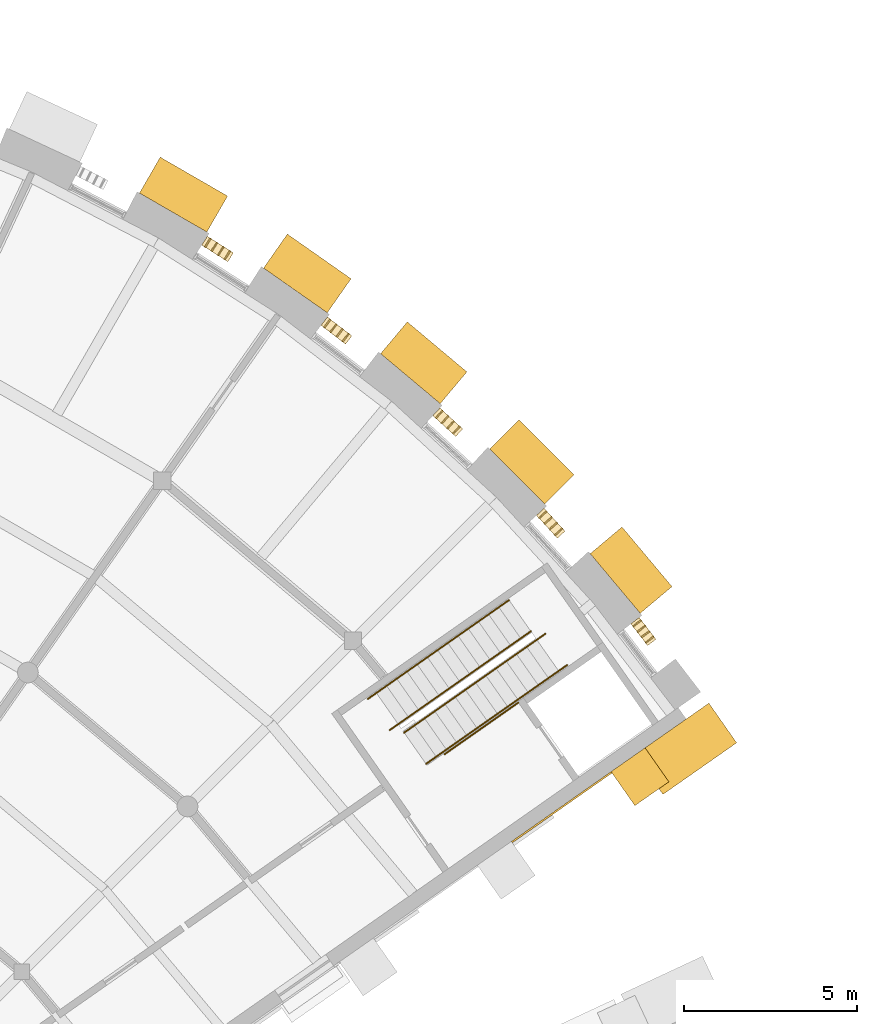
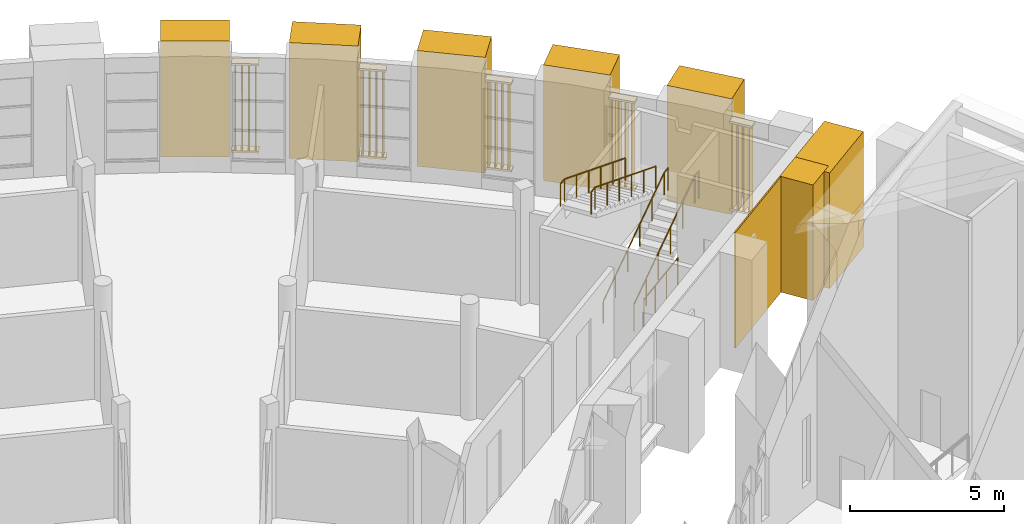
# One storey, part 48 of 50: 38 coverings, 5 railings.
"""IFC4 building model written with IfcOpenShell, lengths in metres."""

from ifc_helpers import new_model, si_unit, direction, frame, origin, origin_2d, place, context, subcontext, project, spatial, polyline, rectangle, circle, outline, extrude, material, layer, layer_set, type_object, element, save


model = new_model("IFC4")

# Units and contexts
model_context = context("Model", 3, precision=1e-05, world=origin(), true_north=direction((0.0, 1.0)))
body_context = subcontext(model_context, "Body", "Model", "MODEL_VIEW")
ifc_project = project(units=[si_unit("LENGTHUNIT", "METRE"), si_unit("AREAUNIT", "SQUARE_METRE"), si_unit("VOLUMEUNIT", "CUBIC_METRE"), si_unit("PLANEANGLEUNIT", "RADIAN"), si_unit("MASSUNIT", "GRAM", prefix="KILO")], contexts=[model_context])

# Site, building, storey
site_placement = place(None, origin())
site = spatial("IfcSite", under=ifc_project, at=site_placement, CompositionType="ELEMENT")
building_placement = place(site_placement, origin())
building = spatial("IfcBuilding", under=site, at=building_placement, Name="Volute Hill Aquarium", CompositionType="ELEMENT")
storey_placement = place(building_placement, frame((0.0, 0.0, 9.199951171875)))
storey = spatial("IfcBuildingStorey", under=building, at=storey_placement, Name="L03", CompositionType="ELEMENT", Elevation=9.199951171875)

# Coverings
ifc_material_1 = material(Name="Precast concrete C40/50", Category="concrete")
covering_type_1 = type_object("IfcCoveringType", Name="End wall precast fin C40/50 1200x1200", PredefinedType="CLADDING", material=ifc_material_1)
covering_1_placement = place(storey_placement, frame((37.484619140625, 25.270263671875, 0.0), z_axis=(0.0, 0.0, 1.0), x_axis=(0.819150254575, 0.573578992319, 0.0)))
element("IfcCovering", 1, at=covering_1_placement, inside=storey, type_object=covering_type_1, Name="End wall fin EWF S5A L03 6", PredefinedType="CLADDING", context=body_context, shape_type="SweptSolid", body=[
    extrude(rectangle(XDim=1.199951171875, YDim=1.199951171875, at=origin_2d()), origin(), (0.0, 0.0, 1.0), 4.60009765625),
])
ifc_material_2 = material(Name="Precast concrete C40/50", Category="concrete")
ifc_layer = layer(ifc_material_2, 0.050048828125)
ifc_layer_set = layer_set([ifc_layer], Name="End wall precast infill panel C40/50 50")
covering_type_2 = type_object("IfcCoveringType", Name="End wall precast infill panel C40/50 50", PredefinedType="CLADDING", material=ifc_layer_set)
covering_2_placement = place(storey_placement, frame((33.797607421875, 23.360107421875, 0.0), z_axis=(0.573560206306, -0.819163408449, 0.0), x_axis=(0.819163408449, 0.573560206306, 0.0)))
element("IfcCovering", 2, at=covering_2_placement, inside=storey, type_object=covering_type_2, Name="End wall panel EWP S5A L03 5", PredefinedType="CLADDING", context=body_context, shape_type="SweptSolid", body=[
    extrude(outline(polyline([(0.0, 0.0), (3.5159370199129762, 0.0), (3.5159370199129762, 4.600097656250001), (0.0, 4.600097656250001), (0.0, 0.0)])), origin(), (0.0, 0.0, -1.0), 0.050048828125),
])

# Railings
ifc_material_3 = material(Name="Stainless steel 1.4301", Category="steel")
railing_type_1 = type_object("IfcRailingType", Name="Guard 1100 stainless", PredefinedType="GUARDRAIL", material=ifc_material_3)
railing_1_placement = place(storey_placement, frame((33.970458984375, 27.412109375, 0.0)))
element("IfcRailing", 3, at=railing_1_placement, inside=storey, type_object=railing_type_1, Name="gd/S5-A/L03/edge", PredefinedType="GUARDRAIL", context=body_context, shape_type="SweptSolid", body=[
    extrude(circle(Radius=0.02392578125, at=origin_2d()), frame((0.0, 0.0, 1.076171875), z_axis=(-0.819148089014, -0.573582085028, 0.0), x_axis=(0.573582085028, -0.819148089014, 0.0)), (0.0, 0.0, 1.0), 2.599853515625),
    extrude(circle(Radius=0.02099609375, at=origin_2d()), origin(), (0.0, 0.0, 1.0), 1.052001953125),
    extrude(circle(Radius=0.02099609375, at=origin_2d()), frame((-0.7099609375, -0.4970703125, 0.0)), (0.0, 0.0, 1.0), 1.052001953125),
    extrude(circle(Radius=0.02099609375, at=origin_2d()), frame((-1.419677734375, -0.994140625, 0.0)), (0.0, 0.0, 1.0), 1.052001953125),
    extrude(circle(Radius=0.02099609375, at=origin_2d()), frame((-2.129638671875, -1.4912109375, 0.0)), (0.0, 0.0, 1.0), 1.052001953125),
])
railing_2_placement = place(storey_placement, frame((31.303466796875, 25.64208984375, 0.164306640625)))
element("IfcRailing", 4, at=railing_2_placement, inside=storey, type_object=railing_type_1, Name="gd/S5-A/L03/1", PredefinedType="GUARDRAIL", context=body_context, shape_type="SweptSolid", body=[
    extrude(circle(Radius=0.02392578125, at=origin_2d()), frame((0.0, 0.0, 1.076171875), z_axis=(0.745190384026, 0.521851577044, 0.415165296106), x_axis=(-0.573623384376, 0.819119168923, 0.0)), (0.0, 0.0, 1.0), 5.144287109375),
    extrude(circle(Radius=0.02392578125, at=origin_2d()), frame((3.83349609375, 2.6845703125, 3.2119140625), z_axis=(0.819575896246, 0.572970636502, 0.0), x_axis=(-0.572970636502, 0.819575896246, 0.0)), (0.0, 0.0, 1.0), 0.300048828125),
    extrude(circle(Radius=0.02099609375, at=origin_2d()), origin(), (0.0, 0.0, 1.0), 1.052001953125),
    extrude(circle(Radius=0.02099609375, at=origin_2d()), frame((0.7666015625, 0.536865234375, 0.42724609375)), (0.0, 0.0, 1.0), 1.052001953125),
    extrude(circle(Radius=0.02099609375, at=origin_2d()), frame((1.533447265625, 1.07373046875, 0.854248046875)), (0.0, 0.0, 1.0), 1.052001953125),
    extrude(circle(Radius=0.02099609375, at=origin_2d()), frame((2.300048828125, 1.61083984375, 1.281494140625)), (0.0, 0.0, 1.0), 1.052001953125),
    extrude(circle(Radius=0.02099609375, at=origin_2d()), frame((3.06689453125, 2.147705078125, 1.70849609375)), (0.0, 0.0, 1.0), 1.052001953125),
    extrude(circle(Radius=0.02099609375, at=origin_2d()), frame((3.83349609375, 2.6845703125, 2.1357421875)), (0.0, 0.0, 1.0), 1.052001953125),
    extrude(circle(Radius=0.02099609375, at=origin_2d()), frame((4.079345703125, 2.8564453125, 2.1357421875)), (0.0, 0.0, 1.0), 1.052001953125),
])
ifc_material_4 = material(Name="Stainless steel 1.4301", Category="steel")
railing_type_2 = type_object("IfcRailingType", Name="Handrail 48 stainless", PredefinedType="HANDRAIL", material=ifc_material_4)
railing_3_placement = place(storey_placement, frame((30.67236328125, 26.543212890625, 0.164306640625)))
element("IfcRailing", 5, at=railing_3_placement, inside=storey, type_object=railing_type_2, Name="hr/S5-A/L03/2", PredefinedType="HANDRAIL", context=body_context, shape_type="SweptSolid", body=[
    extrude(circle(Radius=0.02392578125, at=origin_2d()), frame((0.0, 0.0, 0.8759765625), z_axis=(0.745229941797, 0.521798586898, 0.415160894787), x_axis=(-0.57356387087, 0.81916084259, 0.0)), (0.0, 0.0, 1.0), 5.144287109375),
    extrude(circle(Radius=0.02392578125, at=origin_2d()), frame((3.833740234375, 2.684326171875, 3.01171875), z_axis=(0.818925855405, 0.573899332068, 0.0), x_axis=(-0.573899332068, 0.818925855405, 0.0)), (0.0, 0.0, 1.0), 0.2998046875),
    extrude(circle(Radius=0.02099609375, at=origin_2d()), origin(), (0.0, 0.0, 1.0), 0.851806640625),
    extrude(circle(Radius=0.02099609375, at=origin_2d()), frame((0.766845703125, 0.536865234375, 0.42724609375)), (0.0, 0.0, 1.0), 0.851806640625),
    extrude(circle(Radius=0.02099609375, at=origin_2d()), frame((1.533447265625, 1.07373046875, 0.854248046875)), (0.0, 0.0, 1.0), 0.851806640625),
    extrude(circle(Radius=0.02099609375, at=origin_2d()), frame((2.30029296875, 1.610595703125, 1.281494140625)), (0.0, 0.0, 1.0), 0.851806640625),
    extrude(circle(Radius=0.02099609375, at=origin_2d()), frame((3.06689453125, 2.1474609375, 1.70849609375)), (0.0, 0.0, 1.0), 0.851806640625),
    extrude(circle(Radius=0.02099609375, at=origin_2d()), frame((3.833740234375, 2.684326171875, 2.1357421875)), (0.0, 0.0, 1.0), 0.851806640625),
    extrude(circle(Radius=0.02099609375, at=origin_2d()), frame((4.079345703125, 2.8564453125, 2.1357421875)), (0.0, 0.0, 1.0), 0.851806640625),
])
railing_4_placement = place(storey_placement, frame((34.333984375, 29.473388671875, 2.46435546875)))
element("IfcRailing", 6, at=railing_4_placement, inside=storey, type_object=railing_type_2, Name="hr/S5-A/L03/3", PredefinedType="HANDRAIL", context=body_context, shape_type="SweptSolid", body=[
    extrude(circle(Radius=0.02392578125, at=origin_2d()), frame((0.0, 0.0, 0.8759765625), z_axis=(-0.745208839402, -0.521817041729, 0.415175578085), x_axis=(0.573588381334, -0.819143680192, 0.0)), (0.0, 0.0, 1.0), 5.144287109375),
    extrude(circle(Radius=0.02392578125, at=origin_2d()), frame((-3.83349609375, -2.684326171875, 3.01171875), z_axis=(-0.819193700616, -0.573516940352, 0.0), x_axis=(0.573516940352, -0.819193700616, 0.0)), (0.0, 0.0, 1.0), 0.300048828125),
    extrude(circle(Radius=0.02099609375, at=origin_2d()), origin(), (0.0, 0.0, 1.0), 0.851806640625),
    extrude(circle(Radius=0.02099609375, at=origin_2d()), frame((-0.7666015625, -0.536865234375, 0.42724609375)), (0.0, 0.0, 1.0), 0.851806640625),
    extrude(circle(Radius=0.02099609375, at=origin_2d()), frame((-1.533447265625, -1.07373046875, 0.854248046875)), (0.0, 0.0, 1.0), 0.851806640625),
    extrude(circle(Radius=0.02099609375, at=origin_2d()), frame((-2.300048828125, -1.610595703125, 1.281494140625)), (0.0, 0.0, 1.0), 0.851806640625),
    extrude(circle(Radius=0.02099609375, at=origin_2d()), frame((-3.06689453125, -2.1474609375, 1.70849609375)), (0.0, 0.0, 1.0), 0.851806640625),
    extrude(circle(Radius=0.02099609375, at=origin_2d()), frame((-3.83349609375, -2.684326171875, 2.1357421875)), (0.0, 0.0, 1.0), 0.851806640625),
    extrude(circle(Radius=0.02099609375, at=origin_2d()), frame((-4.079345703125, -2.8564453125, 2.1357421875)), (0.0, 0.0, 1.0), 0.851806640625),
])
railing_5_placement = place(storey_placement, frame((33.703125, 30.37451171875, 2.46435546875)))
element("IfcRailing", 7, at=railing_5_placement, inside=storey, type_object=railing_type_2, Name="hr/S5-A/L03/4", PredefinedType="HANDRAIL", context=body_context, shape_type="SweptSolid", body=[
    extrude(circle(Radius=0.02392578125, at=origin_2d()), frame((0.0, 0.0, 0.8759765625), z_axis=(-0.745229941797, -0.521798586898, 0.415160894787), x_axis=(0.57356387087, -0.81916084259, 0.0)), (0.0, 0.0, 1.0), 5.144287109375),
    extrude(circle(Radius=0.02392578125, at=origin_2d()), frame((-3.833740234375, -2.684326171875, 3.01171875), z_axis=(-0.818925855405, -0.573899332068, 0.0), x_axis=(0.573899332068, -0.818925855405, 0.0)), (0.0, 0.0, 1.0), 0.2998046875),
    extrude(circle(Radius=0.02099609375, at=origin_2d()), origin(), (0.0, 0.0, 1.0), 0.851806640625),
    extrude(circle(Radius=0.02099609375, at=origin_2d()), frame((-0.766845703125, -0.536865234375, 0.42724609375)), (0.0, 0.0, 1.0), 0.851806640625),
    extrude(circle(Radius=0.02099609375, at=origin_2d()), frame((-1.533447265625, -1.07373046875, 0.854248046875)), (0.0, 0.0, 1.0), 0.851806640625),
    extrude(circle(Radius=0.02099609375, at=origin_2d()), frame((-2.30029296875, -1.610595703125, 1.281494140625)), (0.0, 0.0, 1.0), 0.851806640625),
    extrude(circle(Radius=0.02099609375, at=origin_2d()), frame((-3.06689453125, -2.1474609375, 1.70849609375)), (0.0, 0.0, 1.0), 0.851806640625),
    extrude(circle(Radius=0.02099609375, at=origin_2d()), frame((-3.833740234375, -2.684326171875, 2.1357421875)), (0.0, 0.0, 1.0), 0.851806640625),
    extrude(circle(Radius=0.02099609375, at=origin_2d()), frame((-4.079345703125, -2.8564453125, 2.1357421875)), (0.0, 0.0, 1.0), 0.851806640625),
])

# Coverings
ifc_material_5 = material(Name="Aluminium", Category="aluminium")
covering_type_3 = type_object("IfcCoveringType", Name="Plant louvre slat 40x300", PredefinedType="CLADDING", material=ifc_material_5)
for number, where, z_axis, x_axis, name in (
    (8, (37.76513671875, 29.229248046875, 0.5302734375), (0.0, 0.0, 1.0), (-0.608752522404, 0.79336017449, 0.0), "Plant louvre slat S5 L03 1.1.1"),
    (9, (37.64453125, 29.386474609375, 0.5302734375), (0.0, 0.0, 1.0), (-0.608752522404, 0.79336017449, 0.0), "Plant louvre slat S5 L03 1.1.2"),
    (10, (37.523681640625, 29.543701171875, 0.5302734375), (0.0, 0.0, 1.0), (-0.608752522404, 0.79336017449, 0.0), "Plant louvre slat S5 L03 1.1.3"),
    (11, (37.403076171875, 29.700927734375, 0.5302734375), (0.0, 0.0, 1.0), (-0.608752522404, 0.79336017449, 0.0), "Plant louvre slat S5 L03 1.1.4"),
    (12, (35.133056640625, 32.344970703125, 0.5302734375), (0.0, 0.0, 1.0), (-0.675585034027, 0.737282077497, 0.0), "Plant louvre slat S5 L03 2.1.1"),
    (13, (34.982177734375, 32.509521484375, 0.5302734375), (0.0, 0.0, 1.0), (-0.675585034027, 0.737282077497, 0.0), "Plant louvre slat S5 L03 2.1.2"),
    (14, (34.83154296875, 32.674072265625, 0.5302734375), (0.0, 0.0, 1.0), (-0.675585034027, 0.737282077497, 0.0), "Plant louvre slat S5 L03 2.1.3"),
    (15, (34.6806640625, 32.838623046875, 0.5302734375), (0.0, 0.0, 1.0), (-0.675585034027, 0.737282077497, 0.0), "Plant louvre slat S5 L03 2.1.4"),
    (16, (32.180419921875, 35.283935546875, 0.5302734375), (0.0, 0.0, 1.0), (-0.737282077497, 0.675585034027, 0.0), "Plant louvre slat S5 L03 3.1.1"),
    (17, (32.015625, 35.4345703125, 0.5302734375), (0.0, 0.0, 1.0), (-0.737282077497, 0.675585034027, 0.0), "Plant louvre slat S5 L03 3.1.2"),
    (18, (31.85107421875, 35.58544921875, 0.5302734375), (0.0, 0.0, 1.0), (-0.737282077497, 0.675585034027, 0.0), "Plant louvre slat S5 L03 3.1.3"),
    (19, (31.6865234375, 35.736328125, 0.5302734375), (0.0, 0.0, 1.0), (-0.737282077497, 0.675585034027, 0.0), "Plant louvre slat S5 L03 3.1.4"),
    (20, (28.982666015625, 37.954345703125, 0.5302734375), (0.0, 0.0, 1.0), (-0.79336017449, 0.608752522404, 0.0), "Plant louvre slat S5 L03 4.1.1"),
    (21, (28.8056640625, 38.090087890625, 0.5302734375), (0.0, 0.0, 1.0), (-0.79336017449, 0.608752522404, 0.0), "Plant louvre slat S5 L03 4.1.2"),
    (22, (28.62841796875, 38.22607421875, 0.5302734375), (0.0, 0.0, 1.0), (-0.79336017449, 0.608752522404, 0.0), "Plant louvre slat S5 L03 4.1.3"),
    (23, (28.451416015625, 38.36181640625, 0.5302734375), (0.0, 0.0, 1.0), (-0.79336017449, 0.608752522404, 0.0), "Plant louvre slat S5 L03 4.1.4"),
    (24, (25.564453125, 40.3359375, 0.5302734375), (0.0, 0.0, 1.0), (-0.843385713059, 0.537308606862, 0.0), "Plant louvre slat S5 L03 5.1.1"),
    (25, (25.376220703125, 40.455810546875, 0.5302734375), (0.0, 0.0, 1.0), (-0.843385713059, 0.537308606862, 0.0), "Plant louvre slat S5 L03 5.1.2"),
    (26, (25.18798828125, 40.57568359375, 0.5302734375), (0.0, 0.0, 1.0), (-0.843385713059, 0.537308606862, 0.0), "Plant louvre slat S5 L03 5.1.3"),
    (27, (24.999755859375, 40.695556640625, 0.5302734375), (0.0, 0.0, 1.0), (-0.843385713059, 0.537308606862, 0.0), "Plant louvre slat S5 L03 5.1.4"),
):
    element("IfcCovering", number, at=place(storey_placement, frame(where, z_axis=z_axis, x_axis=x_axis)), inside=storey, type_object=covering_type_3, Name=name, PredefinedType="CLADDING", context=body_context, shape_type="SweptSolid", body=[
        extrude(rectangle(XDim=0.0400390625, YDim=0.300048828125, at=origin_2d()), origin(), (0.0, 0.0, 1.0), 3.389892578125),
    ])
ifc_material_6 = material(Name="Aluminium", Category="aluminium")
covering_type_4 = type_object("IfcCoveringType", Name="Plant louvre slat rail 300x80", PredefinedType="CLADDING", material=ifc_material_6)
for number, where, z_axis, x_axis, name in (
    (28, (37.583984375, 29.465087890625, 0.449951171875), (0.0, 0.0, 1.0), (-0.608752522404, 0.79336017449, 0.0), "Plant louvre slat rail S5 L03 1.1"),
    (29, (37.583984375, 29.465087890625, 3.919921875), (0.0, 0.0, 1.0), (-0.608752522404, 0.79336017449, 0.0), "Plant louvre slat rail S5 L03 1.2"),
):
    element("IfcCovering", number, at=place(storey_placement, frame(where, z_axis=z_axis, x_axis=x_axis)), inside=storey, type_object=covering_type_4, Name=name, PredefinedType="CLADDING", context=body_context, shape_type="SweptSolid", body=[
        extrude(rectangle(XDim=0.792724609375, YDim=0.300048828125, at=origin_2d()), origin(), (0.0, 0.0, 1.0), 0.080078125),
    ])
for number, where, z_axis, x_axis, name in (
    (30, (34.90673828125, 32.591796875, 0.449951171875), (0.0, 0.0, 1.0), (-0.675585034027, 0.737282077497, 0.0), "Plant louvre slat rail S5 L03 2.1"),
    (31, (34.90673828125, 32.591796875, 3.919921875), (0.0, 0.0, 1.0), (-0.675585034027, 0.737282077497, 0.0), "Plant louvre slat rail S5 L03 2.2"),
    (32, (31.933349609375, 35.510009765625, 0.449951171875), (0.0, 0.0, 1.0), (-0.737282077497, 0.675585034027, 0.0), "Plant louvre slat rail S5 L03 3.1"),
    (33, (31.933349609375, 35.510009765625, 3.919921875), (0.0, 0.0, 1.0), (-0.737282077497, 0.675585034027, 0.0), "Plant louvre slat rail S5 L03 3.2"),
    (34, (28.717041015625, 38.157958984375, 0.449951171875), (0.0, 0.0, 1.0), (-0.79336017449, 0.608752522404, 0.0), "Plant louvre slat rail S5 L03 4.1"),
    (35, (28.717041015625, 38.157958984375, 3.919921875), (0.0, 0.0, 1.0), (-0.79336017449, 0.608752522404, 0.0), "Plant louvre slat rail S5 L03 4.2"),
    (36, (25.281982421875, 40.515869140625, 0.449951171875), (0.0, 0.0, 1.0), (-0.843385713059, 0.537308606862, 0.0), "Plant louvre slat rail S5 L03 5.1"),
    (37, (25.281982421875, 40.515869140625, 3.919921875), (0.0, 0.0, 1.0), (-0.843385713059, 0.537308606862, 0.0), "Plant louvre slat rail S5 L03 5.2"),
):
    element("IfcCovering", number, at=place(storey_placement, frame(where, z_axis=z_axis, x_axis=x_axis)), inside=storey, type_object=covering_type_4, Name=name, PredefinedType="CLADDING", context=body_context, shape_type="SweptSolid", body=[
        extrude(rectangle(XDim=0.892822265625, YDim=0.300048828125, at=origin_2d()), origin(), (0.0, 0.0, 1.0), 0.080078125),
    ])
ifc_material_7 = material(Name="Precast concrete C40/50", Category="concrete")
covering_type_5 = type_object("IfcCoveringType", Name="Projecting pier precast concrete C40/50 2249x1200", PredefinedType="CLADDING", material=ifc_material_7)
for number, where, z_axis, x_axis, name in (
    (38, (37.228271484375, 31.238037109375, 0.0), (0.0, 0.0, 1.0), (-0.642787609687, 0.766044443119, 0.0), "Projecting pier PP S5 L03 1"),
    (39, (34.364013671875, 34.364013671875, 0.0), (0.0, 0.0, 1.0), (-0.707106781187, 0.707106781187, 0.0), "Projecting pier PP S5 L03 2"),
    (40, (31.23828125, 37.228271484375, 0.0), (0.0, 0.0, 1.0), (-0.766044443119, 0.642787609687, 0.0), "Projecting pier PP S5 L03 3"),
    (41, (27.87451171875, 39.80908203125, 0.0), (0.0, 0.0, 1.0), (-0.819152044289, 0.573576436351, 0.0), "Projecting pier PP S5 L03 4"),
    (42, (24.299072265625, 42.0869140625, 0.0), (0.0, 0.0, 1.0), (-0.866025403784, 0.5, 0.0), "Projecting pier PP S5 L03 5"),
):
    element("IfcCovering", number, at=place(storey_placement, frame(where, z_axis=z_axis, x_axis=x_axis)), inside=storey, type_object=covering_type_5, Name=name, PredefinedType="CLADDING", context=body_context, shape_type="SweptSolid", body=[
        extrude(rectangle(XDim=2.24853515625, YDim=1.199951171875, at=origin_2d()), origin(), (0.0, 0.0, 1.0), 4.60009765625),
    ])
ifc_material_8 = material(Name="Precast concrete C40/50", Category="concrete")
covering_type_6 = type_object("IfcCoveringType", Name="Step pylon precast concrete C40/50 1400x2600", PredefinedType="CLADDING", material=ifc_material_8)
covering_3_placement = place(storey_placement, frame((38.8115234375, 26.077392578125, 0.0), z_axis=(0.0, 0.0, 1.0), x_axis=(0.819152044289, 0.573576436351, 0.0)))
element("IfcCovering", 43, at=covering_3_placement, inside=storey, type_object=covering_type_6, Name="Step pylon SPY S5A L03", PredefinedType="CLADDING", context=body_context, shape_type="SweptSolid", body=[
    extrude(rectangle(XDim=2.60009765625, YDim=1.39990234375, at=origin_2d()), origin(), (0.0, 0.0, 1.0), 4.60009765625),
])

save(model, "model.ifc")
